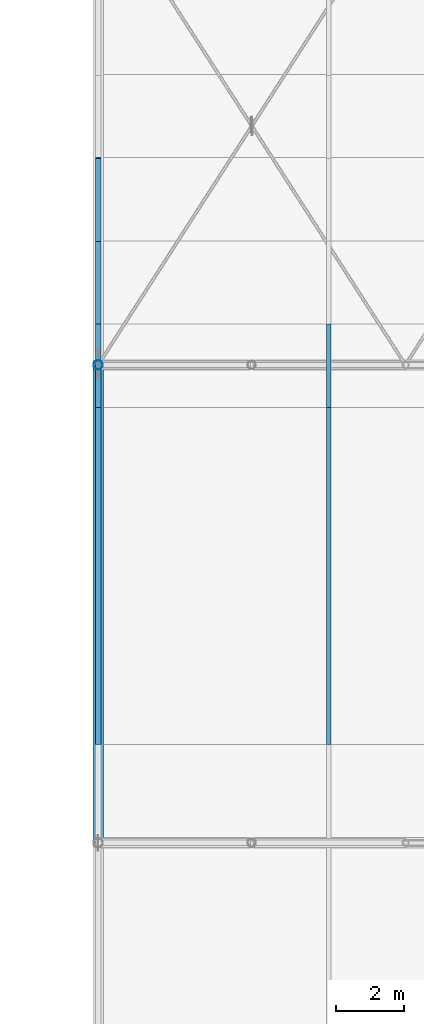
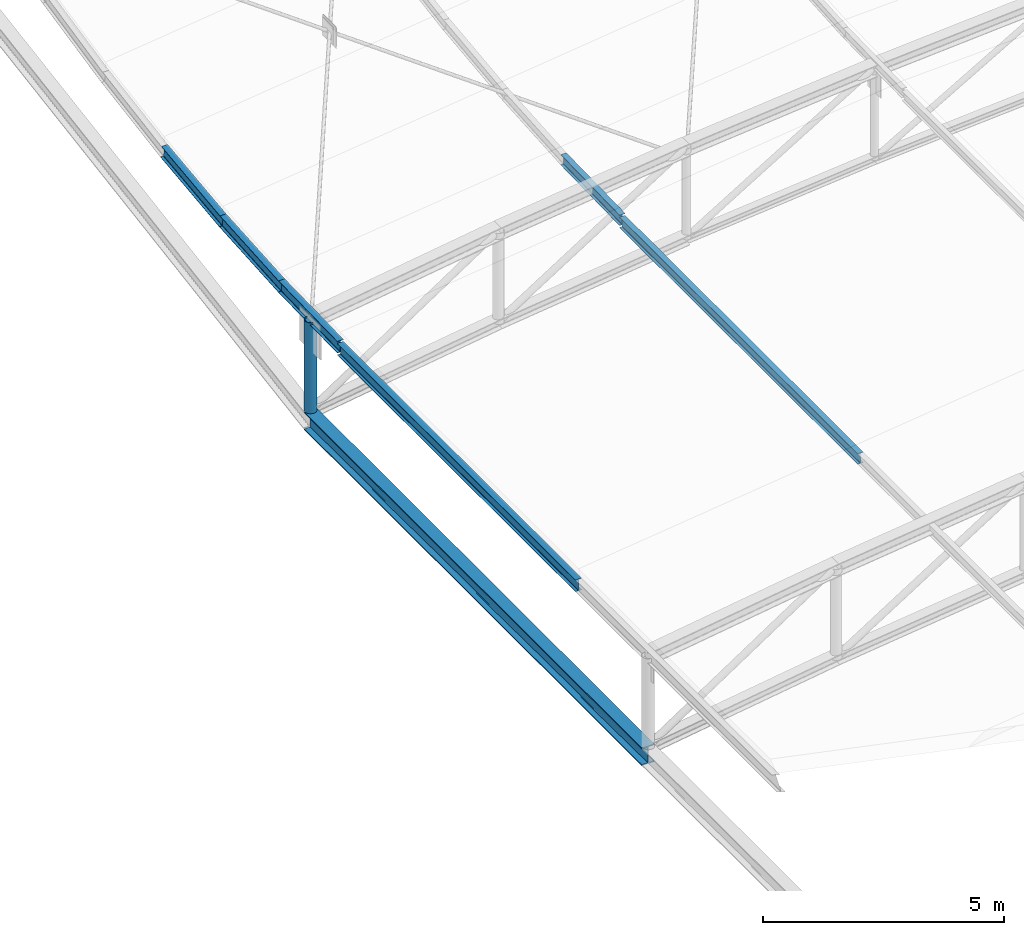
# One storey, part 171 of 262: 7 members, 1 beam.
"""IFC4 building model written with IfcOpenShell, lengths in metres."""

from ifc_helpers import new_model, si_unit, derived_unit, direction, frame, origin, origin_2d, place, context, subcontext, project, spatial, hollow_circle, i_section, extrude, material, material_profile, profile_set, type_object, element, save


model = new_model("IFC4")

# Units and contexts
model_context = context("Model", 3, precision=1e-05, world=origin(), true_north=direction((0.0, 1.0)))
body_context = subcontext(model_context, "Body", "Model", "MODEL_VIEW")
ifc_project = project(units=[si_unit("LENGTHUNIT", "METRE"), si_unit("AREAUNIT", "SQUARE_METRE"), si_unit("VOLUMEUNIT", "CUBIC_METRE"), si_unit("PLANEANGLEUNIT", "RADIAN"), si_unit("MASSUNIT", "GRAM", prefix="KILO"), derived_unit("THERMALTRANSMITTANCEUNIT", [(si_unit("POWERUNIT", "WATT"), 1), (si_unit("LENGTHUNIT", "METRE"), -2), (si_unit("THERMODYNAMICTEMPERATUREUNIT", "KELVIN"), -1)])], contexts=[model_context])

# Site, building, storey
site_placement = place(None, origin())
site = spatial("IfcSite", under=ifc_project, at=site_placement, CompositionType="ELEMENT")
building_placement = place(site_placement, origin())
building = spatial("IfcBuilding", under=site, at=building_placement, Name="Almenara Railside Exhibition Hall", CompositionType="ELEMENT")
storey_placement = place(building_placement, frame((0.0, 0.0, 21.699951171875)))
storey = spatial("IfcBuildingStorey", under=building, at=storey_placement, Name="RF", CompositionType="ELEMENT", Elevation=21.699951171875)

# Members
ifc_material = material(Name="Structural steel S355JR", Category="steel")
ifc_material_profile_1 = material_profile(ifc_material, i_section(OverallWidth=0.14990234375, OverallDepth=0.300048828125, WebThickness=0.007080078125, FlangeThickness=0.0107421875, FilletRadius=0.014892578125, at=origin_2d()), Name="IPE 300")
ifc_profile_set_1 = profile_set([ifc_material_profile_1], Name="Structural steel S355JR")
member_type_1 = type_object("IfcMemberType", Name="East Hall Ridge Purlin IPE 300 S355JR", PredefinedType="PURLIN", material=ifc_profile_set_1)
member_1_placement = place(storey_placement, frame((138.0, 92.8798828125, -7.269775390625), z_axis=(0.0, 1.0, 0.0), x_axis=(-1.0, 0.0, 0.0)))
element("IfcMember", 1, at=member_1_placement, inside=storey, type_object=member_type_1, Name="MEM-PR-V2-PR-IPE300-00-15", PredefinedType="PURLIN", context=body_context, shape_type="SweptSolid", body=[
    extrude(i_section(OverallWidth=0.14990234375, OverallDepth=0.300048828125, WebThickness=0.007080078125, FlangeThickness=0.0107421875, FilletRadius=0.014892578125, at=origin_2d()), origin(), (0.0, 0.0, 1.0), 9.879638671875),
])
member_2_placement = place(storey_placement, frame((138.0, 102.759521484375, -7.21923828125), z_axis=(0.0, 0.999725289903, 0.023438104182), x_axis=(-1.0, 0.0, 0.0)))
element("IfcMember", 2, at=member_2_placement, inside=storey, type_object=member_type_1, Name="MEM-PR-V2-PR-IPE300-00-16", PredefinedType="PURLIN", context=body_context, shape_type="SweptSolid", body=[
    extrude(i_section(OverallWidth=0.14990234375, OverallDepth=0.300048828125, WebThickness=0.007080078125, FlangeThickness=0.0107421875, FilletRadius=0.014892578125, at=origin_2d()), origin(), (0.0, 0.0, 1.0), 2.4375),
])
member_3_placement = place(storey_placement, frame((138.0, 105.1962890625, -7.162841796875), z_axis=(0.0, 0.997521719737, 0.070359211571), x_axis=(-1.0, 0.0, 0.0)))
element("IfcMember", 3, at=member_3_placement, inside=storey, type_object=member_type_1, Name="MEM-PR-V2-PR-IPE300-00-17", PredefinedType="PURLIN", context=body_context, shape_type="SweptSolid", body=[
    extrude(i_section(OverallWidth=0.14990234375, OverallDepth=0.300048828125, WebThickness=0.007080078125, FlangeThickness=0.0107421875, FilletRadius=0.014892578125, at=origin_2d()), origin(), (0.0, 0.0, 1.0), 2.44287109375),
])
member_4_placement = place(storey_placement, frame((138.0, 107.633056640625, -6.99267578125), z_axis=(0.0, 0.993105700961, 0.117222296166), x_axis=(-1.0, 0.0, 0.0)))
element("IfcMember", 4, at=member_4_placement, inside=storey, type_object=member_type_1, Name="MEM-PR-V2-PR-IPE300-00-18", PredefinedType="PURLIN", context=body_context, shape_type="SweptSolid", body=[
    extrude(i_section(OverallWidth=0.14990234375, OverallDepth=0.300048828125, WebThickness=0.007080078125, FlangeThickness=0.0107421875, FilletRadius=0.014892578125, at=origin_2d()), origin(), (0.0, 0.0, 1.0), 2.453369140625),
])
ifc_material_profile_2 = material_profile(ifc_material, i_section(OverallWidth=0.135009765625, OverallDepth=0.27001953125, WebThickness=0.006591796875, FlangeThickness=0.01025390625, FilletRadius=0.014892578125, at=origin_2d()), Name="IPE 270")
ifc_profile_set_2 = profile_set([ifc_material_profile_2], Name="Structural steel S355JR")
member_type_2 = type_object("IfcMemberType", Name="East Hall Standard Purlin IPE 270 S355JR", PredefinedType="PURLIN", material=ifc_profile_set_2)
member_5_placement = place(storey_placement, frame((144.75, 92.8798828125, -6.425537109375), z_axis=(0.0, 1.0, 0.0), x_axis=(-1.0, 0.0, 0.0)))
element("IfcMember", 5, at=member_5_placement, inside=storey, type_object=member_type_2, Name="MEM-PR-V2-PR-IPE270-01-15", PredefinedType="PURLIN", context=body_context, shape_type="SweptSolid", body=[
    extrude(i_section(OverallWidth=0.135009765625, OverallDepth=0.27001953125, WebThickness=0.006591796875, FlangeThickness=0.01025390625, FilletRadius=0.014892578125, at=origin_2d()), origin(), (0.0, 0.0, 1.0), 9.879638671875),
])
member_6_placement = place(storey_placement, frame((144.75, 102.759521484375, -6.375244140625), z_axis=(0.0, 0.999725289903, 0.023438104182), x_axis=(-1.0, 0.0, 0.0)))
element("IfcMember", 6, at=member_6_placement, inside=storey, type_object=member_type_2, Name="MEM-PR-V2-PR-IPE270-01-16", PredefinedType="PURLIN", context=body_context, shape_type="SweptSolid", body=[
    extrude(i_section(OverallWidth=0.135009765625, OverallDepth=0.27001953125, WebThickness=0.006591796875, FlangeThickness=0.01025390625, FilletRadius=0.014892578125, at=origin_2d()), origin(), (0.0, 0.0, 1.0), 2.4375),
])

# Beam
ifc_material_profile_3 = material_profile(ifc_material, i_section(OverallWidth=0.300048828125, OverallDepth=0.449951171875, WebThickness=0.013916015625, FlangeThickness=0.02587890625, FilletRadius=0.027099609375, at=origin_2d()), Name="HEB 450")
ifc_profile_set_3 = profile_set([ifc_material_profile_3], Name="Structural steel S355JR")
beam_type = type_object("IfcBeamType", Name="Steel Roof Eaves Tie Girder HEB 450 S355JR", PredefinedType="USERDEFINED", material=ifc_profile_set_3)
beam_placement = place(storey_placement, frame((138.0, 90.0, -9.824951171875), z_axis=(0.0, 0.999999434213, 0.001063754978), x_axis=(-1.0, 0.0, 0.0)))
element("IfcBeam", 7, at=beam_placement, inside=storey, type_object=beam_type, Name="Beam 0983", ObjectType="GIRDER", PredefinedType="USERDEFINED", context=body_context, shape_type="SweptSolid", body=[
    extrude(i_section(OverallWidth=0.300048828125, OverallDepth=0.449951171875, WebThickness=0.013916015625, FlangeThickness=0.02587890625, FilletRadius=0.027099609375, at=origin_2d()), origin(), (0.0, 0.0, 1.0), 14.0),
])

# Member
ifc_material_profile_4 = material_profile(ifc_material, hollow_circle(Radius=0.136474609375, WallThickness=0.008056640625, at=origin_2d()), Name="CHS 273x8")
ifc_profile_set_4 = profile_set([ifc_material_profile_4], Name="Structural steel S355JR")
member_type_3 = type_object("IfcMemberType", Name="Truss Support Vertical Strut CHS 273x8 S355JR", PredefinedType="BRACE", material=ifc_profile_set_4)
member_7_placement = place(storey_placement, frame((138.0, 104.0, -9.585205078125), z_axis=(0.0, 0.0, 1.0), x_axis=(1.0, 0.0, 0.0)))
element("IfcMember", 8, at=member_7_placement, inside=storey, type_object=member_type_3, Name="MEM-TV-V2-05-00", PredefinedType="BRACE", context=body_context, shape_type="SweptSolid", body=[
    extrude(hollow_circle(Radius=0.136474609375, WallThickness=0.008056640625, at=origin_2d()), origin(), (0.0, 0.0, 1.0), 2.300048828125),
])

save(model, "model.ifc")
